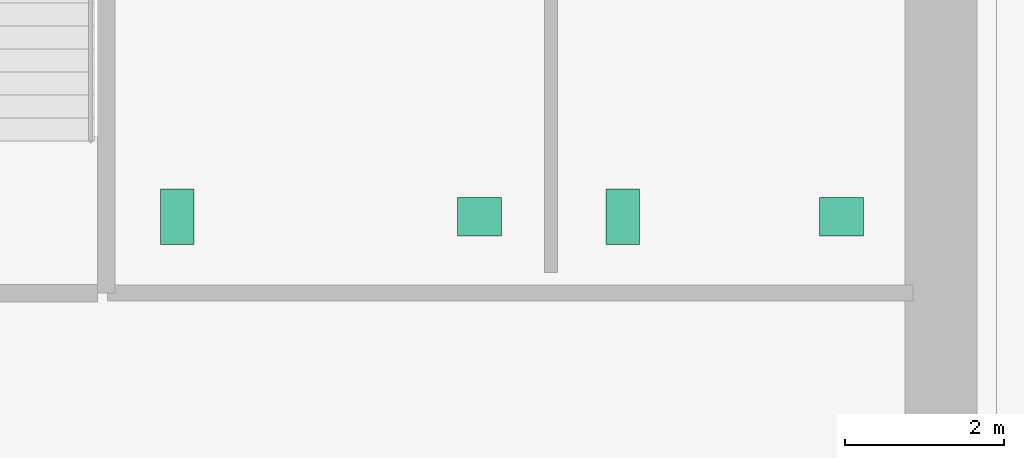
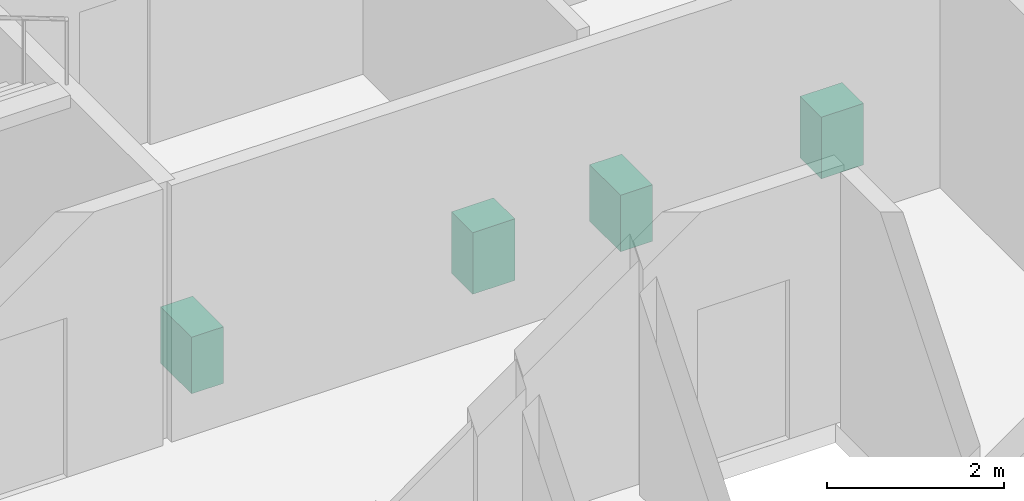
# One storey, part 13 of 13: 4 sanitary terminals.
"""IFC4 building model written with IfcOpenShell, lengths in metres."""

from ifc_helpers import new_model, si_unit, direction, frame, origin, origin_2d, place, context, subcontext, project, spatial, rectangle, extrude, material, type_object, element, save


model = new_model("IFC4")

# Units and contexts
model_context = context("Model", 3, precision=1e-05, world=origin(), true_north=direction((0.0, 1.0)))
body_context = subcontext(model_context, "Body", "Model", "MODEL_VIEW")
ifc_project = project(units=[si_unit("LENGTHUNIT", "METRE"), si_unit("AREAUNIT", "SQUARE_METRE"), si_unit("VOLUMEUNIT", "CUBIC_METRE"), si_unit("PLANEANGLEUNIT", "RADIAN"), si_unit("MASSUNIT", "GRAM", prefix="KILO")], contexts=[model_context])

# Site, building, storey
site_placement = place(None, origin())
site = spatial("IfcSite", under=ifc_project, at=site_placement, CompositionType="ELEMENT")
building_placement = place(site_placement, origin())
building = spatial("IfcBuilding", under=site, at=building_placement, Name="Norrvale University Quadrangle", CompositionType="ELEMENT")
storey_placement = place(building_placement, frame((0.0, 0.0, 77.39990234375)))
storey = spatial("IfcBuildingStorey", under=building, at=storey_placement, Name="L19", CompositionType="ELEMENT", Elevation=77.39990234375)

# Sanitary terminals
ifc_material = material(Name="Vitreous China Sanitaryware")
sanitary_terminal_type_1 = type_object("IfcSanitaryTerminalType", Name="Sanitary Wash Basin", PredefinedType="WASHHANDBASIN", material=ifc_material)
for number, where, z_axis, x_axis, name in (
    (1, (11.0, 41.10009765625, 0.0), (0.0, 0.0, 1.0), (1.0, 0.0, 0.0), "Accessible Countertop Washbasin L19-1"),
    (2, (15.550048828125, 41.10009765625, 0.0), (0.0, 0.0, 1.0), (1.0, 0.0, 0.0), "Accessible Countertop Washbasin L19-2"),
):
    element("IfcSanitaryTerminal", number, at=place(storey_placement, frame(where, z_axis=z_axis, x_axis=x_axis)), inside=storey, type_object=sanitary_terminal_type_1, Name=name, PredefinedType="WASHHANDBASIN", context=body_context, shape_type="SweptSolid", body=[
        extrude(rectangle(XDim=0.550048828125, YDim=0.47998046875, at=origin_2d()), origin(), (0.0, 0.0, 1.0), 0.85009765625),
    ])
sanitary_terminal_type_2 = type_object("IfcSanitaryTerminalType", Name="Sanitary Water Closet", PredefinedType="TOILETPAN", material=ifc_material)
for number, where, z_axis, x_axis, name in (
    (3, (7.199951171875, 41.10009765625, 0.0), (0.0, 0.0, 1.0), (1.0, 0.0, 0.0), "Wall-Hung Water Closet L19-1"),
    (4, (12.800048828125, 41.10009765625, 0.0), (0.0, 0.0, 1.0), (1.0, 0.0, 0.0), "Wall-Hung Water Closet L19-2"),
):
    element("IfcSanitaryTerminal", number, at=place(storey_placement, frame(where, z_axis=z_axis, x_axis=x_axis)), inside=storey, type_object=sanitary_terminal_type_2, Name=name, PredefinedType="TOILETPAN", context=body_context, shape_type="SweptSolid", body=[
        extrude(rectangle(XDim=0.419921875, YDim=0.699951171875, at=origin_2d()), origin(), (0.0, 0.0, 1.0), 0.780029296875),
    ])

save(model, "model.ifc")
